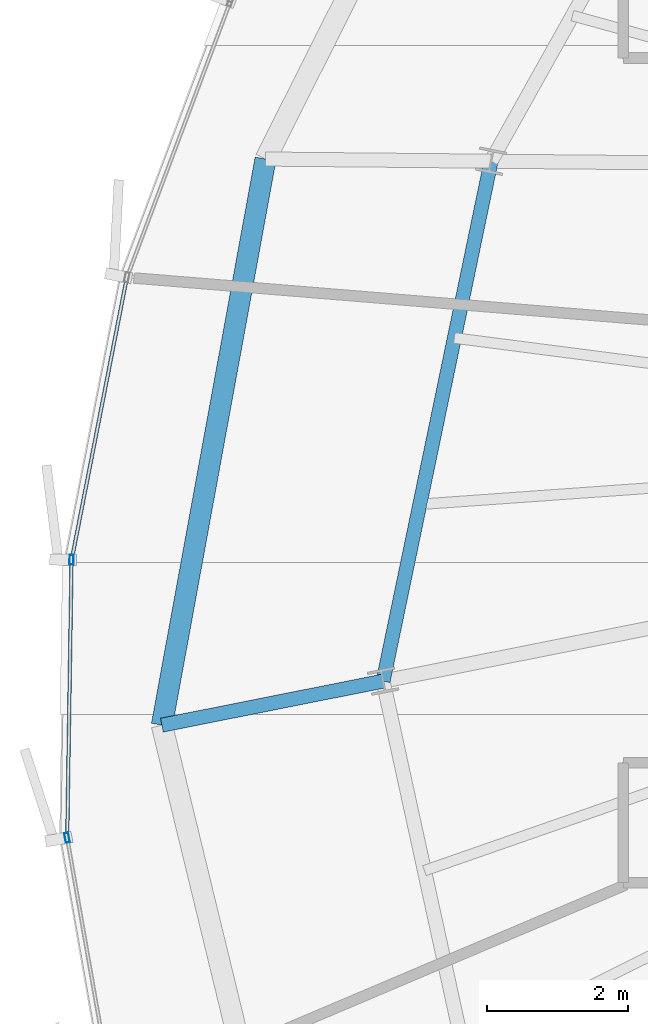
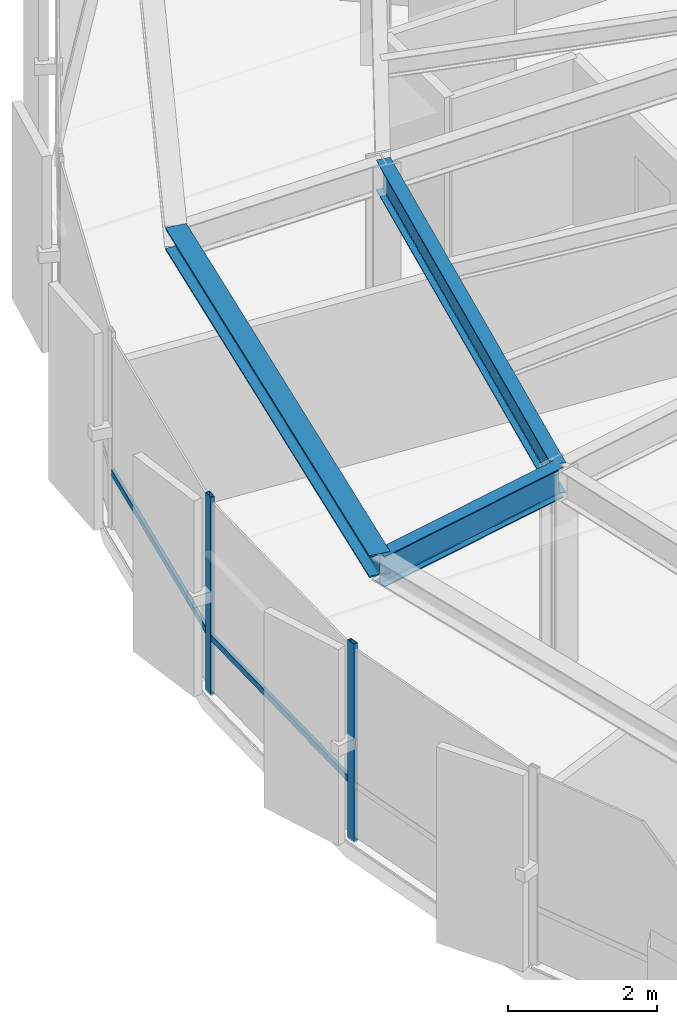
# One storey, part 9 of 35: 4 members, 3 beams, 1 element without a shape of its own.
"""IFC4 building model written with IfcOpenShell, lengths in metres."""

from ifc_helpers import new_model, si_unit, direction, frame, origin, origin_2d, place, context, subcontext, project, spatial, hollow_rectangle, i_section, extrude, source, transform, mapped, material, layer, layer_set, material_profile, profile_set, type_object, element, aggregate, save


model = new_model("IFC4")

# Units and contexts
model_context = context("Model", 3, precision=1e-05, world=origin(), true_north=direction((0.0, 1.0)))
body_context = subcontext(model_context, "Body", "Model", "MODEL_VIEW")
ifc_project = project(units=[si_unit("LENGTHUNIT", "METRE"), si_unit("AREAUNIT", "SQUARE_METRE"), si_unit("VOLUMEUNIT", "CUBIC_METRE"), si_unit("PLANEANGLEUNIT", "RADIAN"), si_unit("MASSUNIT", "GRAM", prefix="KILO"), si_unit("THERMODYNAMICTEMPERATUREUNIT", "KELVIN")], contexts=[model_context])

# Site, building, storey
site_placement = place(None, origin())
site = spatial("IfcSite", under=ifc_project, at=site_placement, CompositionType="ELEMENT")
building_placement = place(site_placement, origin())
building = spatial("IfcBuilding", under=site, at=building_placement, Name="Kethvar Cultural Tower", CompositionType="ELEMENT")
storey_placement = place(building_placement, frame((0.0, 0.0, 193.89990234375)))
storey = spatial("IfcBuildingStorey", under=building, at=storey_placement, Name="L50", CompositionType="ELEMENT", Elevation=193.89990234375)

# Beams
ifc_material_1 = material(Name="Steel S355J2", Category="steel")
ifc_material_profile_1 = material_profile(ifc_material_1, i_section(OverallWidth=0.199951171875, OverallDepth=0.5, WebThickness=0.01025390625, FlangeThickness=0.01611328125, FilletRadius=0.02099609375, at=origin_2d()), Name="Steel S355J2 — IPE500")
ifc_profile_set_1 = profile_set([ifc_material_profile_1], Name="Steel S355J2 — IPE500")
beam_type_1 = type_object("IfcBeamType", Name="BM-IPE500", PredefinedType="BEAM", material=ifc_profile_set_1)
shared_shape_1 = source(origin(), body_context, "Body", "SweptSolid", [
    extrude(i_section(OverallWidth=0.199951171875, OverallDepth=0.5, WebThickness=0.01025390625, FlangeThickness=0.01611328125, FilletRadius=0.02099609375, at=origin_2d()), origin(), (0.0, 0.0, 1.0), 3.199951171875),
])
beam_1_placement = place(storey_placement, frame((27.492919921875, 23.959716796875, 3.008056640625), z_axis=(-0.980770949178, -0.195162356126, 0.0), x_axis=(0.195162356126, -0.980770949178, 0.0)))
element("IfcBeam", 1, at=beam_1_placement, inside=storey, type_object=beam_type_1, Name="L50 Perimeter Cantilever Beam RC-09", PredefinedType="BEAM", context=body_context, shape_type="MappedRepresentation", body=[
    mapped(shared_shape_1, transform((0.0, 0.0, 0.0), scale=1.0)),
])
shared_shape_2 = source(origin(), body_context, "Body", "SweptSolid", [
    extrude(i_section(OverallWidth=0.199951171875, OverallDepth=0.5, WebThickness=0.01025390625, FlangeThickness=0.01611328125, FilletRadius=0.02099609375, at=origin_2d()), origin(), (0.0, 0.0, 1.0), 7.533447265625),
])
beam_2_placement = place(storey_placement, frame((29.02490234375, 31.335693359375, 3.008056640625), z_axis=(-0.203358905185, -0.979104261906, 0.0), x_axis=(0.979104261906, -0.203358905185, 0.0)))
element("IfcBeam", 2, at=beam_2_placement, inside=storey, type_object=beam_type_1, Name="L50 Column Ring Tie Beam CR-08", PredefinedType="BEAM", context=body_context, shape_type="MappedRepresentation", body=[
    mapped(shared_shape_2, transform((0.0, 0.0, 0.0), scale=1.0)),
])
ifc_material_profile_2 = material_profile(ifc_material_1, i_section(OverallWidth=0.300048828125, OverallDepth=0.360107421875, WebThickness=0.012451171875, FlangeThickness=0.0224609375, FilletRadius=0.027099609375, at=origin_2d()), Name="Steel S355J2 — HEB360")
ifc_profile_set_2 = profile_set([ifc_material_profile_2], Name="Steel S355J2 — HEB360")
beam_type_2 = type_object("IfcBeamType", Name="BM-SP360", PredefinedType="SPANDREL", material=ifc_profile_set_2)
shared_shape_3 = source(origin(), body_context, "Body", "SweptSolid", [
    extrude(i_section(OverallWidth=0.300048828125, OverallDepth=0.360107421875, WebThickness=0.012451171875, FlangeThickness=0.0224609375, FilletRadius=0.027099609375, at=origin_2d()), origin(), (0.0, 0.0, 1.0), 8.16455078125),
])
beam_3_placement = place(storey_placement, frame((25.824951171875, 31.3662109375, 3.078125), z_axis=(-0.180103654572, -0.983647636916, 0.0), x_axis=(0.983647636916, -0.180103654572, 0.0)))
element("IfcBeam", 3, at=beam_3_placement, inside=storey, type_object=beam_type_2, Name="L50 Perimeter Spandrel Beam SP-08", PredefinedType="SPANDREL", context=body_context, shape_type="MappedRepresentation", body=[
    mapped(shared_shape_3, transform((0.0, 0.0, 0.0), scale=1.0)),
])

# Curtain wall, members
ifc_material_2 = material(Name="Aluminium 6063-T6", Category="aluminium")
ifc_layer = layer(ifc_material_2, 0.179931640625, Name="Aluminium 6063-T6", Category="aluminium")
ifc_layer_set = layer_set([ifc_layer], Name="Aluminium 6063-T6 (180 mm)")
curtain_wall_type = type_object("IfcCurtainWallType", Name="CW-SYS-04-Z34", PredefinedType="NOTDEFINED", material=ifc_layer_set)
curtain_wall_placement = place(storey_placement, origin())
curtain_wall = element("IfcCurtainWall", 4, at=curtain_wall_placement, inside=storey, type_object=curtain_wall_type, Name="L50 Curtain Wall Run 03", PredefinedType="NOTDEFINED")
ifc_material_profile_3 = material_profile(ifc_material_2, hollow_rectangle(XDim=0.06005859375, YDim=0.139892578125, WallThickness=0.0048828125, at=origin_2d()), Name="Aluminium 6063-T6 — RHS140x60x5")
ifc_profile_set_3 = profile_set([ifc_material_profile_3], Name="Aluminium 6063-T6 — RHS140x60x5")
member_type_1 = type_object("IfcMemberType", Name="CW-SYS-04-Z34-MUL", PredefinedType="MULLION", material=ifc_profile_set_3)
shared_shape_4 = source(origin(), body_context, "Body", "SweptSolid", [
    extrude(hollow_rectangle(XDim=0.06005859375, YDim=0.139892578125, WallThickness=0.0048828125, at=origin_2d()), origin(), (0.0, 0.0, 1.0), 3.260009765625),
])
member_1_placement = place(storey_placement, frame((23.073974609375, 25.6806640625, 0.0), z_axis=(0.0, 0.0, 1.0), x_axis=(0.999876083584, -0.015742219581, 0.0)))
member_1 = element("IfcMember", 5, at=member_1_placement, type_object=member_type_1, Name="CW-L50-R03 Mullion 3", PredefinedType="MULLION", context=body_context, shape_type="MappedRepresentation", body=[
    mapped(shared_shape_4, transform((0.0, 0.0, 0.0), scale=1.0)),
])
member_2_placement = place(storey_placement, frame((23.009765625, 21.73974609375, 0.0), z_axis=(0.0, 0.0, 1.0), x_axis=(0.984907603833, 0.173080940349, 0.0)))
member_2 = element("IfcMember", 6, at=member_2_placement, type_object=member_type_1, Name="CW-L50-R03 Mullion 4", PredefinedType="MULLION", context=body_context, shape_type="MappedRepresentation", body=[
    mapped(shared_shape_4, transform((0.0, 0.0, 0.0), scale=1.0)),
])
ifc_material_profile_4 = material_profile(ifc_material_2, hollow_rectangle(XDim=0.050048828125, YDim=0.10009765625, WallThickness=0.00390625, at=origin_2d()), Name="Aluminium 6063-T6 — RHS100x50x4")
ifc_profile_set_4 = profile_set([ifc_material_profile_4], Name="Aluminium 6063-T6 — RHS100x50x4")
member_type_2 = type_object("IfcMemberType", Name="CW-SYS-04-Z34-TRN", PredefinedType="USERDEFINED", material=ifc_profile_set_4)
shared_shape_5 = source(origin(), body_context, "Body", "SweptSolid", [
    extrude(hollow_rectangle(XDim=0.050048828125, YDim=0.10009765625, WallThickness=0.00390625, at=origin_2d()), origin(), (0.0, 0.0, 1.0), 4.015625),
])
member_3_placement = place(storey_placement, frame((23.85009765625, 29.644775390625, 0.9501953125), z_axis=(-0.19175319246, -0.981443178784, 0.0), x_axis=(0.981443178784, -0.19175319246, 0.0)))
member_3 = element("IfcMember", 7, at=member_3_placement, type_object=member_type_2, Name="CW-L50-R03 Transom 2", ObjectType="TRANSOM", PredefinedType="USERDEFINED", context=body_context, shape_type="MappedRepresentation", body=[
    mapped(shared_shape_5, transform((0.0, 0.0, 0.0), scale=1.0)),
])
shared_shape_6 = source(origin(), body_context, "Body", "SweptSolid", [
    extrude(hollow_rectangle(XDim=0.050048828125, YDim=0.10009765625, WallThickness=0.00390625, at=origin_2d()), origin(), (0.0, 0.0, 1.0), 3.875732421875),
])
member_4_placement = place(storey_placement, frame((23.0732421875, 25.637451171875, 0.9501953125), z_axis=(-0.015748062615, -0.999875991573, 0.0), x_axis=(0.999875991573, -0.015748062615, 0.0)))
member_4 = element("IfcMember", 8, at=member_4_placement, type_object=member_type_2, Name="CW-L50-R03 Transom 3", ObjectType="TRANSOM", PredefinedType="USERDEFINED", context=body_context, shape_type="MappedRepresentation", body=[
    mapped(shared_shape_6, transform((0.0, 0.0, 0.0), scale=1.0)),
])
aggregate(curtain_wall, [member_1, member_2, member_3, member_4])

save(model, "model.ifc")
